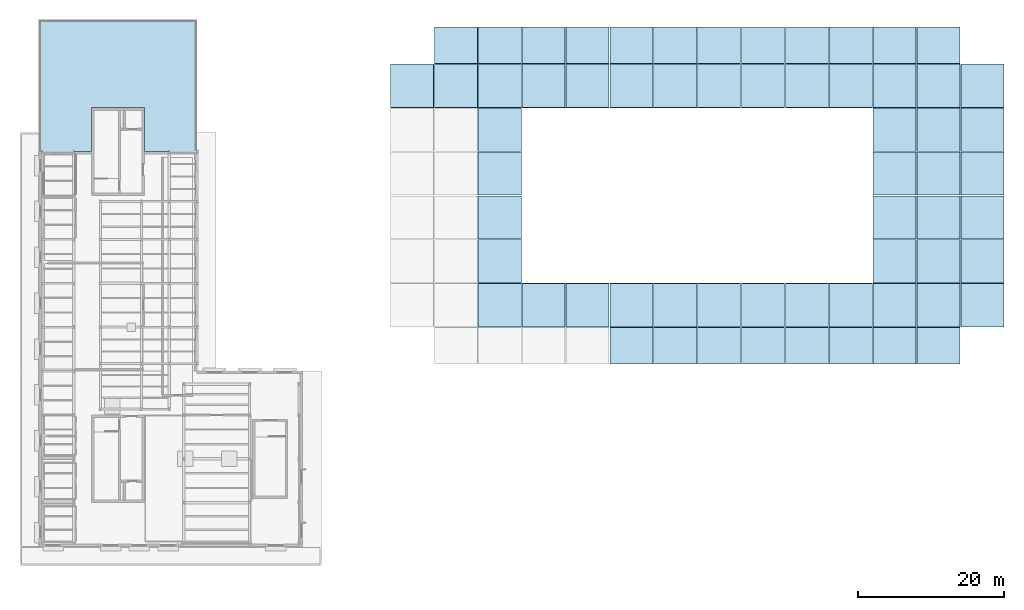
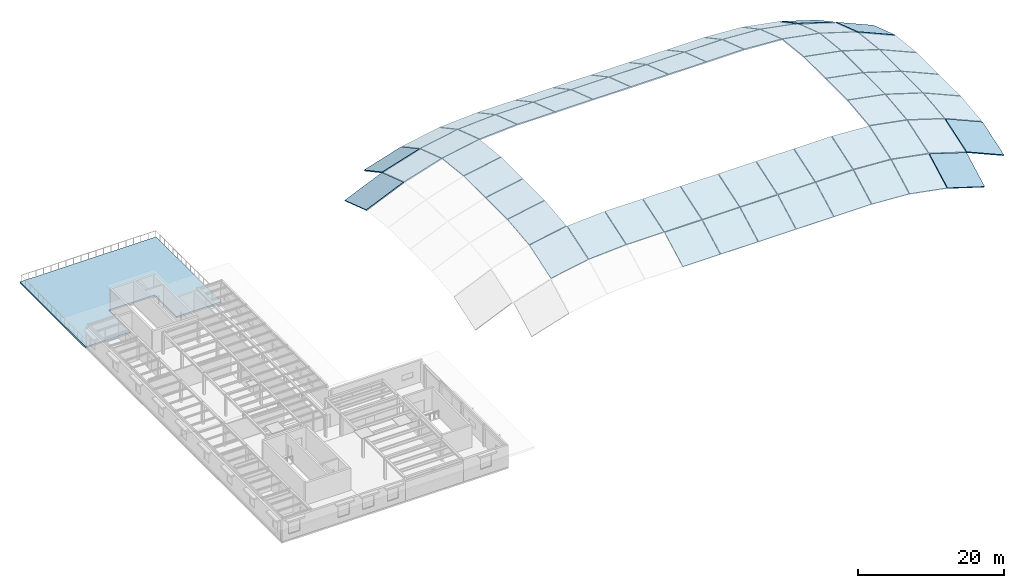
# One storey, part 6 of 10: 63 slabs.
"""IFC4 building model written with IfcOpenShell, lengths in metres."""

from ifc_helpers import new_model, si_unit, direction, frame, origin, place, context, subcontext, project, spatial, polyline, outline, extrude, material, layer, layer_set, type_object, element, save


model = new_model("IFC4")

# Units and contexts
model_context = context("Model", 3, precision=1e-05, world=origin(), true_north=direction((0.0, 1.0)))
body_context = subcontext(model_context, "Body", "Model", "MODEL_VIEW")
ifc_project = project(units=[si_unit("LENGTHUNIT", "METRE"), si_unit("AREAUNIT", "SQUARE_METRE"), si_unit("VOLUMEUNIT", "CUBIC_METRE"), si_unit("PLANEANGLEUNIT", "RADIAN"), si_unit("MASSUNIT", "GRAM", prefix="KILO")], contexts=[model_context])

# Site, building, storey
site_placement = place(None, origin())
site = spatial("IfcSite", under=ifc_project, at=site_placement, CompositionType="ELEMENT")
building_placement = place(site_placement, origin())
building = spatial("IfcBuilding", under=site, at=building_placement, Name="Kolvaren Corner Interchange", CompositionType="ELEMENT")
storey_placement = place(building_placement, frame((0.0, 0.0, 18.75)))
storey = spatial("IfcBuildingStorey", under=building, at=storey_placement, Name="L05", CompositionType="ELEMENT", Elevation=18.75)

# Slabs
ifc_material_1 = material(Name="Solar-Control Tempered Double Glazing", Category="glass")
ifc_layer_1 = layer(ifc_material_1, 0.179931640625)
ifc_layer_set_1 = layer_set([ifc_layer_1], Name="Solar-Control Tempered Double Glazing")
slab_type_1 = type_object("IfcSlabType", Name="SL-GRID-GLASS", PredefinedType="ROOF", material=ifc_layer_set_1)
slab_1_placement = place(storey_placement, frame((48.048095703125, 60.048095703125, 2.4970703125), z_axis=(-0.383341905259, 0.292070023055, 0.876210069164), x_axis=(0.916157334902, 0.0, 0.40081883402)))
element("IfcSlab", 1, at=slab_1_placement, inside=storey, type_object=slab_type_1, Name="Concourse Translational Gridshell Planar Glass Roof Panel 0007", PredefinedType="ROOF", context=body_context, shape_type="SweptSolid", body=[
    extrude(outline(polyline([(0.0, 0.0), (6.44431, 0.0), (5.6555, 6.17317), (-0.78881, 6.17317), (0.0, 0.0)])), origin(), (0.0, 0.0, -1.0), 0.179931640625),
])
slab_2_placement = place(storey_placement, frame((54.048095703125, 60.048095703125, 5.115966796875), z_axis=(-0.284235722843, 0.303184771032, 0.909554313097), x_axis=(0.954479978035, 0.0, 0.298274993136)))
element("IfcSlab", 2, at=slab_2_placement, inside=storey, type_object=slab_type_1, Name="Concourse Translational Gridshell Planar Glass Roof Panel 0015", PredefinedType="ROOF", context=body_context, shape_type="SweptSolid", body=[
    extrude(outline(polyline([(0.0, 0.0), (6.18557, 0.0), (5.59856, 6.19562), (-0.58701, 6.19562), (0.0, 0.0)])), origin(), (0.0, 0.0, -1.0), 0.179931640625),
])
slab_3_placement = place(storey_placement, frame((54.048095703125, 66.048095703125, 3.10498046875), z_axis=(-0.265236212204, 0.457452958794, 0.848755879053), x_axis=(0.954479978035, 0.0, 0.298274993136)))
element("IfcSlab", 3, at=slab_3_placement, inside=storey, type_object=slab_type_1, Name="Concourse Translational Gridshell Planar Glass Roof Panel 0016", PredefinedType="ROOF", context=body_context, shape_type="SweptSolid", body=[
    extrude(outline(polyline([(0.0, 0.0), (6.18557, 0.0), (5.38112, 5.62732), (-0.80445, 5.62732), (0.0, 0.0)])), origin(), (0.0, 0.0, -1.0), 0.179931640625),
])
slab_4_placement = place(storey_placement, frame((60.048095703125, 30.048095703125, 5.01708984375), z_axis=(-0.175129097187, -0.311340617221, 0.934021851664), x_axis=(0.982872186934, 0.0, 0.18428853505)))
element("IfcSlab", 4, at=slab_4_placement, inside=storey, type_object=slab_type_1, Name="Concourse Translational Gridshell Planar Glass Roof Panel 0018", PredefinedType="ROOF", context=body_context, shape_type="SweptSolid", body=[
    extrude(outline(polyline([(0.0, 0.0), (6.00688, 0.0), (6.36956, 6.21279), (0.36268, 6.21279), (0.0, 0.0)])), origin(), (0.0, 0.0, -1.0), 0.179931640625),
])
slab_5_placement = place(storey_placement, frame((60.048095703125, 36.048095703125, 7.006103515625), z_axis=(-0.183199319595, -0.10856255976, 0.977063037843), x_axis=(0.982872186934, 0.0, 0.18428853505)))
element("IfcSlab", 5, at=slab_5_placement, inside=storey, type_object=slab_type_1, Name="Concourse Translational Gridshell Planar Glass Roof Panel 0019", PredefinedType="ROOF", context=body_context, shape_type="SweptSolid", body=[
    extrude(outline(polyline([(0.0, 0.0), (6.00688, 0.0), (6.12778, 5.9391), (0.12089, 5.9391), (0.0, 0.0)])), origin(), (0.0, 0.0, -1.0), 0.179931640625),
])
for number, where, z_axis, x_axis, name in (
    (6, (60.048095703125, 42.048095703125, 7.662109375), (-0.18428853505, 0.0, 0.982872186934), (0.982872186934, 0.0, 0.18428853505), "Concourse Translational Gridshell Planar Glass Roof Panel 0020"),
    (7, (60.048095703125, 48.048095703125, 7.662109375), (-0.18428853505, 0.0, 0.982872186934), (0.982872186934, 0.0, 0.18428853505), "Concourse Translational Gridshell Planar Glass Roof Panel 0021"),
):
    element("IfcSlab", number, at=place(storey_placement, frame(where, z_axis=z_axis, x_axis=x_axis)), inside=storey, type_object=slab_type_1, Name=name, PredefinedType="ROOF", context=body_context, shape_type="SweptSolid", body=[
        extrude(outline(polyline([(0.0, 0.0), (6.00688, 0.0), (6.00688, 5.904), (0.0, 5.904), (0.0, 0.0)])), origin(), (0.0, 0.0, -1.0), 0.179931640625),
    ])
slab_6_placement = place(storey_placement, frame((60.048095703125, 54.048095703125, 7.662109375), z_axis=(-0.183199319595, 0.10856255976, 0.977063037843), x_axis=(0.982872186934, 0.0, 0.18428853505)))
element("IfcSlab", 8, at=slab_6_placement, inside=storey, type_object=slab_type_1, Name="Concourse Translational Gridshell Planar Glass Roof Panel 0022", PredefinedType="ROOF", context=body_context, shape_type="SweptSolid", body=[
    extrude(outline(polyline([(0.0, 0.0), (6.00688, 0.0), (5.88599, 5.9391), (-0.12089, 5.9391), (0.0, 0.0)])), origin(), (0.0, 0.0, -1.0), 0.179931640625),
])
slab_7_placement = place(storey_placement, frame((60.048095703125, 60.048095703125, 6.985107421875), z_axis=(-0.175129097187, 0.311340617221, 0.934021851664), x_axis=(0.982872186934, 0.0, 0.18428853505)))
element("IfcSlab", 9, at=slab_7_placement, inside=storey, type_object=slab_type_1, Name="Concourse Translational Gridshell Planar Glass Roof Panel 0023", PredefinedType="ROOF", context=body_context, shape_type="SweptSolid", body=[
    extrude(outline(polyline([(0.0, 0.0), (6.00688, 0.0), (5.6442, 6.21279), (-0.36268, 6.21279), (0.0, 0.0)])), origin(), (0.0, 0.0, -1.0), 0.179931640625),
])
slab_8_placement = place(storey_placement, frame((60.048095703125, 66.048095703125, 4.97412109375), z_axis=(-0.162850042067, 0.46811251101, 0.868533557691), x_axis=(0.982872186934, 0.0, 0.18428853505)))
element("IfcSlab", 10, at=slab_8_placement, inside=storey, type_object=slab_type_1, Name="Concourse Translational Gridshell Planar Glass Roof Panel 0024", PredefinedType="ROOF", context=body_context, shape_type="SweptSolid", body=[
    extrude(outline(polyline([(0.0, 0.0), (6.00688, 0.0), (5.50986, 5.66275), (-0.49703, 5.66275), (0.0, 0.0)])), origin(), (0.0, 0.0, -1.0), 0.179931640625),
])
slab_9_placement = place(storey_placement, frame((66.048095703125, 30.048095703125, 6.135986328125), z_axis=(-0.059188754679, -0.315673358287, 0.94702007486), x_axis=(0.998052578483, 0.0, 0.062378286155)))
element("IfcSlab", 11, at=slab_9_placement, inside=storey, type_object=slab_type_1, Name="Concourse Translational Gridshell Planar Glass Roof Panel 0026", PredefinedType="ROOF", context=body_context, shape_type="SweptSolid", body=[
    extrude(outline(polyline([(0.0, 0.0), (5.91552, 0.0), (6.03828, 6.22215), (0.12276, 6.22215), (0.0, 0.0)])), origin(), (0.0, 0.0, -1.0), 0.179931640625),
])
slab_10_placement = place(storey_placement, frame((66.048095703125, 60.048095703125, 8.10400390625), z_axis=(-0.059188754679, 0.315673358287, 0.94702007486), x_axis=(0.998052578483, 0.0, 0.062378286155)))
element("IfcSlab", 12, at=slab_10_placement, inside=storey, type_object=slab_type_1, Name="Concourse Translational Gridshell Planar Glass Roof Panel 0031", PredefinedType="ROOF", context=body_context, shape_type="SweptSolid", body=[
    extrude(outline(polyline([(0.0, 0.0), (5.91552, 0.0), (5.79276, 6.22215), (-0.12276, 6.22215), (0.0, 0.0)])), origin(), (0.0, 0.0, -1.0), 0.179931640625),
])
slab_11_placement = place(storey_placement, frame((66.048095703125, 66.048095703125, 6.093017578125), z_axis=(-0.054934709396, 0.473729532346, 0.878955350337), x_axis=(0.998052578483, 0.0, 0.062378286155)))
element("IfcSlab", 13, at=slab_11_placement, inside=storey, type_object=slab_type_1, Name="Concourse Translational Gridshell Planar Glass Roof Panel 0032", PredefinedType="ROOF", context=body_context, shape_type="SweptSolid", body=[
    extrude(outline(polyline([(0.0, 0.0), (5.91552, 0.0), (5.74729, 5.68204), (-0.16823, 5.68204), (0.0, 0.0)])), origin(), (0.0, 0.0, -1.0), 0.179931640625),
])
for number, where, z_axis, x_axis, name in (
    (14, (72.048095703125, 30.048095703125, 6.5048828125), (0.0, -0.316227766017, 0.948683298051), (1.0, 0.0, 0.0), "Concourse Translational Gridshell Planar Glass Roof Panel 0034"),
    (15, (72.048095703125, 60.048095703125, 8.472900390625), (0.0, 0.316227766017, 0.948683298051), (1.0, 0.0, 0.0), "Concourse Translational Gridshell Planar Glass Roof Panel 0039"),
):
    element("IfcSlab", number, at=place(storey_placement, frame(where, z_axis=z_axis, x_axis=x_axis)), inside=storey, type_object=slab_type_1, Name=name, PredefinedType="ROOF", context=body_context, shape_type="SweptSolid", body=[
        extrude(outline(polyline([(0.0, 0.0), (5.904, 0.0), (5.904, 6.22336), (0.0, 6.22336), (0.0, 0.0)])), origin(), (0.0, 0.0, -1.0), 0.179931640625),
    ])
for number, where, z_axis, x_axis, name in (
    (16, (72.048095703125, 66.048095703125, 6.4619140625), (0.0, 0.474445970088, 0.880284625259), (1.0, 0.0, 0.0), "Concourse Translational Gridshell Planar Glass Roof Panel 0040"),
    (17, (78.048095703125, 24.947998046875, 3.764892578125), (0.0, -0.474445970088, 0.880284625259), (1.0, 0.0, 0.0), "Concourse Translational Gridshell Planar Glass Roof Panel 0041"),
):
    element("IfcSlab", number, at=place(storey_placement, frame(where, z_axis=z_axis, x_axis=x_axis)), inside=storey, type_object=slab_type_1, Name=name, PredefinedType="ROOF", context=body_context, shape_type="SweptSolid", body=[
        extrude(outline(polyline([(0.0, 0.0), (5.904, 0.0), (5.904, 5.68453), (0.0, 5.68453), (0.0, 0.0)])), origin(), (0.0, 0.0, -1.0), 0.179931640625),
    ])
for number, where, z_axis, x_axis, name in (
    (18, (78.048095703125, 30.048095703125, 6.5048828125), (0.0, -0.316227766017, 0.948683298051), (1.0, 0.0, 0.0), "Concourse Translational Gridshell Planar Glass Roof Panel 0042"),
    (19, (78.048095703125, 60.048095703125, 8.472900390625), (0.0, 0.316227766017, 0.948683298051), (1.0, 0.0, 0.0), "Concourse Translational Gridshell Planar Glass Roof Panel 0047"),
):
    element("IfcSlab", number, at=place(storey_placement, frame(where, z_axis=z_axis, x_axis=x_axis)), inside=storey, type_object=slab_type_1, Name=name, PredefinedType="ROOF", context=body_context, shape_type="SweptSolid", body=[
        extrude(outline(polyline([(0.0, 0.0), (5.904, 0.0), (5.904, 6.22336), (0.0, 6.22336), (0.0, 0.0)])), origin(), (0.0, 0.0, -1.0), 0.179931640625),
    ])
for number, where, z_axis, x_axis, name in (
    (20, (78.048095703125, 66.048095703125, 6.4619140625), (0.0, 0.474445970088, 0.880284625259), (1.0, 0.0, 0.0), "Concourse Translational Gridshell Planar Glass Roof Panel 0048"),
    (21, (84.048095703125, 24.947998046875, 3.764892578125), (0.0, -0.474445970088, 0.880284625259), (1.0, 0.0, 0.0), "Concourse Translational Gridshell Planar Glass Roof Panel 0049"),
):
    element("IfcSlab", number, at=place(storey_placement, frame(where, z_axis=z_axis, x_axis=x_axis)), inside=storey, type_object=slab_type_1, Name=name, PredefinedType="ROOF", context=body_context, shape_type="SweptSolid", body=[
        extrude(outline(polyline([(0.0, 0.0), (5.904, 0.0), (5.904, 5.68453), (0.0, 5.68453), (0.0, 0.0)])), origin(), (0.0, 0.0, -1.0), 0.179931640625),
    ])
for number, where, z_axis, x_axis, name in (
    (22, (84.048095703125, 30.048095703125, 6.5048828125), (0.0, -0.316227766017, 0.948683298051), (1.0, 0.0, 0.0), "Concourse Translational Gridshell Planar Glass Roof Panel 0050"),
    (23, (84.048095703125, 60.048095703125, 8.472900390625), (0.0, 0.316227766017, 0.948683298051), (1.0, 0.0, 0.0), "Concourse Translational Gridshell Planar Glass Roof Panel 0055"),
):
    element("IfcSlab", number, at=place(storey_placement, frame(where, z_axis=z_axis, x_axis=x_axis)), inside=storey, type_object=slab_type_1, Name=name, PredefinedType="ROOF", context=body_context, shape_type="SweptSolid", body=[
        extrude(outline(polyline([(0.0, 0.0), (5.904, 0.0), (5.904, 6.22336), (0.0, 6.22336), (0.0, 0.0)])), origin(), (0.0, 0.0, -1.0), 0.179931640625),
    ])
for number, where, z_axis, x_axis, name in (
    (24, (84.048095703125, 66.048095703125, 6.4619140625), (0.0, 0.474445970088, 0.880284625259), (1.0, 0.0, 0.0), "Concourse Translational Gridshell Planar Glass Roof Panel 0056"),
    (25, (90.048095703125, 24.947998046875, 3.764892578125), (0.0, -0.474445970088, 0.880284625259), (1.0, 0.0, 0.0), "Concourse Translational Gridshell Planar Glass Roof Panel 0057"),
):
    element("IfcSlab", number, at=place(storey_placement, frame(where, z_axis=z_axis, x_axis=x_axis)), inside=storey, type_object=slab_type_1, Name=name, PredefinedType="ROOF", context=body_context, shape_type="SweptSolid", body=[
        extrude(outline(polyline([(0.0, 0.0), (5.904, 0.0), (5.904, 5.68453), (0.0, 5.68453), (0.0, 0.0)])), origin(), (0.0, 0.0, -1.0), 0.179931640625),
    ])
for number, where, z_axis, x_axis, name in (
    (26, (90.048095703125, 30.048095703125, 6.5048828125), (0.0, -0.316227766017, 0.948683298051), (1.0, 0.0, 0.0), "Concourse Translational Gridshell Planar Glass Roof Panel 0058"),
    (27, (90.048095703125, 60.048095703125, 8.472900390625), (0.0, 0.316227766017, 0.948683298051), (1.0, 0.0, 0.0), "Concourse Translational Gridshell Planar Glass Roof Panel 0063"),
):
    element("IfcSlab", number, at=place(storey_placement, frame(where, z_axis=z_axis, x_axis=x_axis)), inside=storey, type_object=slab_type_1, Name=name, PredefinedType="ROOF", context=body_context, shape_type="SweptSolid", body=[
        extrude(outline(polyline([(0.0, 0.0), (5.904, 0.0), (5.904, 6.22336), (0.0, 6.22336), (0.0, 0.0)])), origin(), (0.0, 0.0, -1.0), 0.179931640625),
    ])
for number, where, z_axis, x_axis, name in (
    (28, (90.048095703125, 66.048095703125, 6.4619140625), (0.0, 0.474445970088, 0.880284625259), (1.0, 0.0, 0.0), "Concourse Translational Gridshell Planar Glass Roof Panel 0064"),
    (29, (96.048095703125, 24.947998046875, 3.764892578125), (0.0, -0.474445970088, 0.880284625259), (1.0, 0.0, 0.0), "Concourse Translational Gridshell Planar Glass Roof Panel 0065"),
):
    element("IfcSlab", number, at=place(storey_placement, frame(where, z_axis=z_axis, x_axis=x_axis)), inside=storey, type_object=slab_type_1, Name=name, PredefinedType="ROOF", context=body_context, shape_type="SweptSolid", body=[
        extrude(outline(polyline([(0.0, 0.0), (5.904, 0.0), (5.904, 5.68453), (0.0, 5.68453), (0.0, 0.0)])), origin(), (0.0, 0.0, -1.0), 0.179931640625),
    ])
for number, where, z_axis, x_axis, name in (
    (30, (96.048095703125, 30.048095703125, 6.5048828125), (0.0, -0.316227766017, 0.948683298051), (1.0, 0.0, 0.0), "Concourse Translational Gridshell Planar Glass Roof Panel 0066"),
    (31, (96.048095703125, 60.048095703125, 8.472900390625), (0.0, 0.316227766017, 0.948683298051), (1.0, 0.0, 0.0), "Concourse Translational Gridshell Planar Glass Roof Panel 0071"),
):
    element("IfcSlab", number, at=place(storey_placement, frame(where, z_axis=z_axis, x_axis=x_axis)), inside=storey, type_object=slab_type_1, Name=name, PredefinedType="ROOF", context=body_context, shape_type="SweptSolid", body=[
        extrude(outline(polyline([(0.0, 0.0), (5.904, 0.0), (5.904, 6.22336), (0.0, 6.22336), (0.0, 0.0)])), origin(), (0.0, 0.0, -1.0), 0.179931640625),
    ])
for number, where, z_axis, x_axis, name in (
    (32, (96.048095703125, 66.048095703125, 6.4619140625), (0.0, 0.474445970088, 0.880284625259), (1.0, 0.0, 0.0), "Concourse Translational Gridshell Planar Glass Roof Panel 0072"),
    (33, (102.048095703125, 24.947998046875, 3.764892578125), (0.0, -0.474445970088, 0.880284625259), (1.0, 0.0, 0.0), "Concourse Translational Gridshell Planar Glass Roof Panel 0073"),
):
    element("IfcSlab", number, at=place(storey_placement, frame(where, z_axis=z_axis, x_axis=x_axis)), inside=storey, type_object=slab_type_1, Name=name, PredefinedType="ROOF", context=body_context, shape_type="SweptSolid", body=[
        extrude(outline(polyline([(0.0, 0.0), (5.904, 0.0), (5.904, 5.68453), (0.0, 5.68453), (0.0, 0.0)])), origin(), (0.0, 0.0, -1.0), 0.179931640625),
    ])
for number, where, z_axis, x_axis, name in (
    (34, (102.048095703125, 30.048095703125, 6.5048828125), (0.0, -0.316227766017, 0.948683298051), (1.0, 0.0, 0.0), "Concourse Translational Gridshell Planar Glass Roof Panel 0074"),
    (35, (102.048095703125, 60.048095703125, 8.472900390625), (0.0, 0.316227766017, 0.948683298051), (1.0, 0.0, 0.0), "Concourse Translational Gridshell Planar Glass Roof Panel 0079"),
):
    element("IfcSlab", number, at=place(storey_placement, frame(where, z_axis=z_axis, x_axis=x_axis)), inside=storey, type_object=slab_type_1, Name=name, PredefinedType="ROOF", context=body_context, shape_type="SweptSolid", body=[
        extrude(outline(polyline([(0.0, 0.0), (5.904, 0.0), (5.904, 6.22336), (0.0, 6.22336), (0.0, 0.0)])), origin(), (0.0, 0.0, -1.0), 0.179931640625),
    ])
slab_12_placement = place(storey_placement, frame((102.048095703125, 66.048095703125, 6.4619140625), z_axis=(0.0, 0.474445970088, 0.880284625259), x_axis=(1.0, 0.0, 0.0)))
element("IfcSlab", 36, at=slab_12_placement, inside=storey, type_object=slab_type_1, Name="Concourse Translational Gridshell Planar Glass Roof Panel 0080", PredefinedType="ROOF", context=body_context, shape_type="SweptSolid", body=[
    extrude(outline(polyline([(0.0, 0.0), (5.904, 0.0), (5.904, 5.68453), (0.0, 5.68453), (0.0, 0.0)])), origin(), (0.0, 0.0, -1.0), 0.179931640625),
])
slab_13_placement = place(storey_placement, frame((108.048095703125, 24.947998046875, 3.764892578125), z_axis=(0.054934709396, -0.473729532346, 0.878955350337), x_axis=(0.998052578483, 0.0, -0.062378286155)))
element("IfcSlab", 37, at=slab_13_placement, inside=storey, type_object=slab_type_1, Name="Concourse Translational Gridshell Planar Glass Roof Panel 0081", PredefinedType="ROOF", context=body_context, shape_type="SweptSolid", body=[
    extrude(outline(polyline([(0.0, 0.0), (5.91552, 0.0), (5.74729, 5.68204), (-0.16823, 5.68204), (0.0, 0.0)])), origin(), (0.0, 0.0, -1.0), 0.179931640625),
])
slab_14_placement = place(storey_placement, frame((108.048095703125, 30.048095703125, 6.5048828125), z_axis=(0.059188754679, -0.315673358287, 0.94702007486), x_axis=(0.998052578483, 0.0, -0.062378286155)))
element("IfcSlab", 38, at=slab_14_placement, inside=storey, type_object=slab_type_1, Name="Concourse Translational Gridshell Planar Glass Roof Panel 0082", PredefinedType="ROOF", context=body_context, shape_type="SweptSolid", body=[
    extrude(outline(polyline([(0.0, 0.0), (5.91552, 0.0), (5.79276, 6.22215), (-0.12276, 6.22215), (0.0, 0.0)])), origin(), (0.0, 0.0, -1.0), 0.179931640625),
])
slab_15_placement = place(storey_placement, frame((108.048095703125, 60.048095703125, 8.472900390625), z_axis=(0.059188754679, 0.315673358287, 0.94702007486), x_axis=(0.998052578483, 0.0, -0.062378286155)))
element("IfcSlab", 39, at=slab_15_placement, inside=storey, type_object=slab_type_1, Name="Concourse Translational Gridshell Planar Glass Roof Panel 0087", PredefinedType="ROOF", context=body_context, shape_type="SweptSolid", body=[
    extrude(outline(polyline([(0.0, 0.0), (5.91552, 0.0), (6.03828, 6.22215), (0.12276, 6.22215), (0.0, 0.0)])), origin(), (0.0, 0.0, -1.0), 0.179931640625),
])
slab_16_placement = place(storey_placement, frame((108.048095703125, 66.048095703125, 6.4619140625), z_axis=(0.054934709396, 0.473729532346, 0.878955350337), x_axis=(0.998052578483, 0.0, -0.062378286155)))
element("IfcSlab", 40, at=slab_16_placement, inside=storey, type_object=slab_type_1, Name="Concourse Translational Gridshell Planar Glass Roof Panel 0088", PredefinedType="ROOF", context=body_context, shape_type="SweptSolid", body=[
    extrude(outline(polyline([(0.0, 0.0), (5.91552, 0.0), (6.08375, 5.68204), (0.16823, 5.68204), (0.0, 0.0)])), origin(), (0.0, 0.0, -1.0), 0.179931640625),
])
slab_17_placement = place(storey_placement, frame((114.048095703125, 24.947998046875, 3.384033203125), z_axis=(0.162850042067, -0.46811251101, 0.868533557691), x_axis=(0.982872186934, 0.0, -0.18428853505)))
element("IfcSlab", 41, at=slab_17_placement, inside=storey, type_object=slab_type_1, Name="Concourse Translational Gridshell Planar Glass Roof Panel 0089", PredefinedType="ROOF", context=body_context, shape_type="SweptSolid", body=[
    extrude(outline(polyline([(0.0, 0.0), (6.00688, 0.0), (5.50986, 5.66275), (-0.49703, 5.66275), (0.0, 0.0)])), origin(), (0.0, 0.0, -1.0), 0.179931640625),
])
slab_18_placement = place(storey_placement, frame((114.048095703125, 30.048095703125, 6.1240234375), z_axis=(0.175129097187, -0.311340617221, 0.934021851664), x_axis=(0.982872186934, 0.0, -0.18428853505)))
element("IfcSlab", 42, at=slab_18_placement, inside=storey, type_object=slab_type_1, Name="Concourse Translational Gridshell Planar Glass Roof Panel 0090", PredefinedType="ROOF", context=body_context, shape_type="SweptSolid", body=[
    extrude(outline(polyline([(0.0, 0.0), (6.00688, 0.0), (5.6442, 6.21279), (-0.36268, 6.21279), (0.0, 0.0)])), origin(), (0.0, 0.0, -1.0), 0.179931640625),
])
slab_19_placement = place(storey_placement, frame((114.048095703125, 36.048095703125, 8.113037109375), z_axis=(0.183199319595, -0.10856255976, 0.977063037843), x_axis=(0.982872186934, 0.0, -0.18428853505)))
element("IfcSlab", 43, at=slab_19_placement, inside=storey, type_object=slab_type_1, Name="Concourse Translational Gridshell Planar Glass Roof Panel 0091", PredefinedType="ROOF", context=body_context, shape_type="SweptSolid", body=[
    extrude(outline(polyline([(0.0, 0.0), (6.00688, 0.0), (5.88599, 5.9391), (-0.12089, 5.9391), (0.0, 0.0)])), origin(), (0.0, 0.0, -1.0), 0.179931640625),
])
for number, where, z_axis, x_axis, name in (
    (44, (114.048095703125, 42.048095703125, 8.76904296875), (0.18428853505, 0.0, 0.982872186934), (0.982872186934, 0.0, -0.18428853505), "Concourse Translational Gridshell Planar Glass Roof Panel 0092"),
    (45, (114.048095703125, 48.048095703125, 8.76904296875), (0.18428853505, 0.0, 0.982872186934), (0.982872186934, 0.0, -0.18428853505), "Concourse Translational Gridshell Planar Glass Roof Panel 0093"),
):
    element("IfcSlab", number, at=place(storey_placement, frame(where, z_axis=z_axis, x_axis=x_axis)), inside=storey, type_object=slab_type_1, Name=name, PredefinedType="ROOF", context=body_context, shape_type="SweptSolid", body=[
        extrude(outline(polyline([(0.0, 0.0), (6.00688, 0.0), (6.00688, 5.904), (0.0, 5.904), (0.0, 0.0)])), origin(), (0.0, 0.0, -1.0), 0.179931640625),
    ])
slab_20_placement = place(storey_placement, frame((114.048095703125, 54.048095703125, 8.76904296875), z_axis=(0.183199319595, 0.10856255976, 0.977063037843), x_axis=(0.982872186934, 0.0, -0.18428853505)))
element("IfcSlab", 46, at=slab_20_placement, inside=storey, type_object=slab_type_1, Name="Concourse Translational Gridshell Planar Glass Roof Panel 0094", PredefinedType="ROOF", context=body_context, shape_type="SweptSolid", body=[
    extrude(outline(polyline([(0.0, 0.0), (6.00688, 0.0), (6.12778, 5.9391), (0.12089, 5.9391), (0.0, 0.0)])), origin(), (0.0, 0.0, -1.0), 0.179931640625),
])
slab_21_placement = place(storey_placement, frame((114.048095703125, 60.048095703125, 8.092041015625), z_axis=(0.175129097187, 0.311340617221, 0.934021851664), x_axis=(0.982872186934, 0.0, -0.18428853505)))
element("IfcSlab", 47, at=slab_21_placement, inside=storey, type_object=slab_type_1, Name="Concourse Translational Gridshell Planar Glass Roof Panel 0095", PredefinedType="ROOF", context=body_context, shape_type="SweptSolid", body=[
    extrude(outline(polyline([(0.0, 0.0), (6.00688, 0.0), (6.36956, 6.21279), (0.36268, 6.21279), (0.0, 0.0)])), origin(), (0.0, 0.0, -1.0), 0.179931640625),
])
slab_22_placement = place(storey_placement, frame((114.048095703125, 66.048095703125, 6.0810546875), z_axis=(0.162850042067, 0.46811251101, 0.868533557691), x_axis=(0.982872186934, 0.0, -0.18428853505)))
element("IfcSlab", 48, at=slab_22_placement, inside=storey, type_object=slab_type_1, Name="Concourse Translational Gridshell Planar Glass Roof Panel 0096", PredefinedType="ROOF", context=body_context, shape_type="SweptSolid", body=[
    extrude(outline(polyline([(0.0, 0.0), (6.00688, 0.0), (6.50391, 5.66275), (0.49703, 5.66275), (0.0, 0.0)])), origin(), (0.0, 0.0, -1.0), 0.179931640625),
])
slab_23_placement = place(storey_placement, frame((120.048095703125, 24.947998046875, 2.2529296875), z_axis=(0.265236212204, -0.457452958794, 0.848755879053), x_axis=(0.954479978035, 0.0, -0.298274993136)))
element("IfcSlab", 49, at=slab_23_placement, inside=storey, type_object=slab_type_1, Name="Concourse Translational Gridshell Planar Glass Roof Panel 0097", PredefinedType="ROOF", context=body_context, shape_type="SweptSolid", body=[
    extrude(outline(polyline([(0.0, 0.0), (6.18557, 0.0), (5.38112, 5.62732), (-0.80445, 5.62732), (0.0, 0.0)])), origin(), (0.0, 0.0, -1.0), 0.179931640625),
])
slab_24_placement = place(storey_placement, frame((120.048095703125, 30.048095703125, 4.992919921875), z_axis=(0.284235722843, -0.303184771032, 0.909554313097), x_axis=(0.954479978035, 0.0, -0.298274993136)))
element("IfcSlab", 50, at=slab_24_placement, inside=storey, type_object=slab_type_1, Name="Concourse Translational Gridshell Planar Glass Roof Panel 0098", PredefinedType="ROOF", context=body_context, shape_type="SweptSolid", body=[
    extrude(outline(polyline([(0.0, 0.0), (6.18557, 0.0), (5.59856, 6.19562), (-0.58701, 6.19562), (0.0, 0.0)])), origin(), (0.0, 0.0, -1.0), 0.179931640625),
])
slab_25_placement = place(storey_placement, frame((120.048095703125, 36.048095703125, 6.98193359375), z_axis=(0.29661161594, -0.10546190789, 0.949157171007), x_axis=(0.954479978035, 0.0, -0.298274993136)))
element("IfcSlab", 51, at=slab_25_placement, inside=storey, type_object=slab_type_1, Name="Concourse Translational Gridshell Planar Glass Roof Panel 0099", PredefinedType="ROOF", context=body_context, shape_type="SweptSolid", body=[
    extrude(outline(polyline([(0.0, 0.0), (6.18557, 0.0), (5.9899, 5.93711), (-0.19567, 5.93711), (0.0, 0.0)])), origin(), (0.0, 0.0, -1.0), 0.179931640625),
])
for number, where, z_axis, x_axis, name in (
    (52, (120.048095703125, 42.048095703125, 7.637939453125), (0.298274993136, 0.0, 0.954479978035), (0.954479978035, 0.0, -0.298274993136), "Concourse Translational Gridshell Planar Glass Roof Panel 0100"),
    (53, (120.048095703125, 48.048095703125, 7.637939453125), (0.298274993136, 0.0, 0.954479978035), (0.954479978035, 0.0, -0.298274993136), "Concourse Translational Gridshell Planar Glass Roof Panel 0101"),
):
    element("IfcSlab", number, at=place(storey_placement, frame(where, z_axis=z_axis, x_axis=x_axis)), inside=storey, type_object=slab_type_1, Name=name, PredefinedType="ROOF", context=body_context, shape_type="SweptSolid", body=[
        extrude(outline(polyline([(0.0, 0.0), (6.18557, 0.0), (6.18557, 5.904), (0.0, 5.904), (0.0, 0.0)])), origin(), (0.0, 0.0, -1.0), 0.179931640625),
    ])
slab_26_placement = place(storey_placement, frame((120.048095703125, 54.048095703125, 7.637939453125), z_axis=(0.29661161594, 0.10546190789, 0.949157171007), x_axis=(0.954479978035, 0.0, -0.298274993136)))
element("IfcSlab", 54, at=slab_26_placement, inside=storey, type_object=slab_type_1, Name="Concourse Translational Gridshell Planar Glass Roof Panel 0102", PredefinedType="ROOF", context=body_context, shape_type="SweptSolid", body=[
    extrude(outline(polyline([(0.0, 0.0), (6.18557, 0.0), (6.38124, 5.93711), (0.19567, 5.93711), (0.0, 0.0)])), origin(), (0.0, 0.0, -1.0), 0.179931640625),
])
slab_27_placement = place(storey_placement, frame((120.048095703125, 60.048095703125, 6.9609375), z_axis=(0.284235722843, 0.303184771032, 0.909554313097), x_axis=(0.954479978035, 0.0, -0.298274993136)))
element("IfcSlab", 55, at=slab_27_placement, inside=storey, type_object=slab_type_1, Name="Concourse Translational Gridshell Planar Glass Roof Panel 0103", PredefinedType="ROOF", context=body_context, shape_type="SweptSolid", body=[
    extrude(outline(polyline([(0.0, 0.0), (6.18557, 0.0), (6.77257, 6.19562), (0.58701, 6.19562), (0.0, 0.0)])), origin(), (0.0, 0.0, -1.0), 0.179931640625),
])
slab_28_placement = place(storey_placement, frame((120.048095703125, 66.048095703125, 4.949951171875), z_axis=(0.265236212204, 0.457452958794, 0.848755879053), x_axis=(0.954479978035, 0.0, -0.298274993136)))
element("IfcSlab", 56, at=slab_28_placement, inside=storey, type_object=slab_type_1, Name="Concourse Translational Gridshell Planar Glass Roof Panel 0104", PredefinedType="ROOF", context=body_context, shape_type="SweptSolid", body=[
    extrude(outline(polyline([(0.0, 0.0), (6.18557, 0.0), (6.99001, 5.62732), (0.80445, 5.62732), (0.0, 0.0)])), origin(), (0.0, 0.0, -1.0), 0.179931640625),
])
slab_29_placement = place(storey_placement, frame((126.048095703125, 30.048095703125, 3.112060546875), z_axis=(0.383341905259, -0.292070023055, 0.876210069164), x_axis=(0.916157334902, 0.0, -0.40081883402)))
element("IfcSlab", 57, at=slab_29_placement, inside=storey, type_object=slab_type_1, Name="Concourse Translational Gridshell Planar Glass Roof Panel 0106", PredefinedType="ROOF", context=body_context, shape_type="SweptSolid", body=[
    extrude(outline(polyline([(0.0, 0.0), (6.44431, 0.0), (5.6555, 6.17317), (-0.78881, 6.17317), (0.0, 0.0)])), origin(), (0.0, 0.0, -1.0), 0.179931640625),
])
slab_30_placement = place(storey_placement, frame((126.048095703125, 36.048095703125, 5.10107421875), z_axis=(0.398758137926, -0.101271908045, 0.911447172402), x_axis=(0.916157334902, 0.0, -0.40081883402)))
element("IfcSlab", 58, at=slab_30_placement, inside=storey, type_object=slab_type_1, Name="Concourse Translational Gridshell Planar Glass Roof Panel 0107", PredefinedType="ROOF", context=body_context, shape_type="SweptSolid", body=[
    extrude(outline(polyline([(0.0, 0.0), (6.44431, 0.0), (6.18137, 5.93451), (-0.26294, 5.93451), (0.0, 0.0)])), origin(), (0.0, 0.0, -1.0), 0.179931640625),
])
for number, where, z_axis, x_axis, name in (
    (59, (126.048095703125, 42.048095703125, 5.757080078125), (0.40081883402, 0.0, 0.916157334902), (0.916157334902, 0.0, -0.40081883402), "Concourse Translational Gridshell Planar Glass Roof Panel 0108"),
    (60, (126.048095703125, 48.048095703125, 5.757080078125), (0.40081883402, 0.0, 0.916157334902), (0.916157334902, 0.0, -0.40081883402), "Concourse Translational Gridshell Planar Glass Roof Panel 0109"),
):
    element("IfcSlab", number, at=place(storey_placement, frame(where, z_axis=z_axis, x_axis=x_axis)), inside=storey, type_object=slab_type_1, Name=name, PredefinedType="ROOF", context=body_context, shape_type="SweptSolid", body=[
        extrude(outline(polyline([(0.0, 0.0), (6.44431, 0.0), (6.44431, 5.904), (0.0, 5.904), (0.0, 0.0)])), origin(), (0.0, 0.0, -1.0), 0.179931640625),
    ])
slab_31_placement = place(storey_placement, frame((126.048095703125, 54.048095703125, 5.757080078125), z_axis=(0.398758137926, 0.101271908045, 0.911447172402), x_axis=(0.916157334902, 0.0, -0.40081883402)))
element("IfcSlab", 61, at=slab_31_placement, inside=storey, type_object=slab_type_1, Name="Concourse Translational Gridshell Planar Glass Roof Panel 0110", PredefinedType="ROOF", context=body_context, shape_type="SweptSolid", body=[
    extrude(outline(polyline([(0.0, 0.0), (6.44431, 0.0), (6.70725, 5.93451), (0.26294, 5.93451), (0.0, 0.0)])), origin(), (0.0, 0.0, -1.0), 0.179931640625),
])
slab_32_placement = place(storey_placement, frame((126.048095703125, 60.048095703125, 5.080078125), z_axis=(0.383341905259, 0.292070023055, 0.876210069164), x_axis=(0.916157334902, 0.0, -0.40081883402)))
element("IfcSlab", 62, at=slab_32_placement, inside=storey, type_object=slab_type_1, Name="Concourse Translational Gridshell Planar Glass Roof Panel 0111", PredefinedType="ROOF", context=body_context, shape_type="SweptSolid", body=[
    extrude(outline(polyline([(0.0, 0.0), (6.44431, 0.0), (7.23312, 6.17317), (0.78881, 6.17317), (0.0, 0.0)])), origin(), (0.0, 0.0, -1.0), 0.179931640625),
])
ifc_material_2 = material(Name="Planted Garden Concrete C35/45", Category="concrete")
ifc_layer_2 = layer(ifc_material_2, 0.27001953125)
ifc_layer_set_2 = layer_set([ifc_layer_2], Name="Planted Garden Concrete C35/45")
slab_type_2 = type_object("IfcSlabType", Name="SL-TERR-270", PredefinedType="ROOF", material=ifc_layer_set_2)
slab_33_placement = place(storey_placement, frame((0.0, 0.0, -0.27001953125)))
element("IfcSlab", 63, at=slab_33_placement, inside=storey, type_object=slab_type_2, Name="Level 05 Observation Terrace Slab", PredefinedType="ROOF", context=body_context, shape_type="SweptSolid", body=[
    extrude(outline(polyline([(0.0, 72.0), (0.0, 54.0), (7.159912109375, 54.0), (7.159912109375, 60.0400390625), (14.43994140625, 60.0400390625), (14.43994140625, 54.0), (21.60009765625, 54.0), (21.60009765625, 72.0), (0.0, 72.0)])), origin(), (0.0, 0.0, 1.0), 0.27001953125),
])

save(model, "model.ifc")
